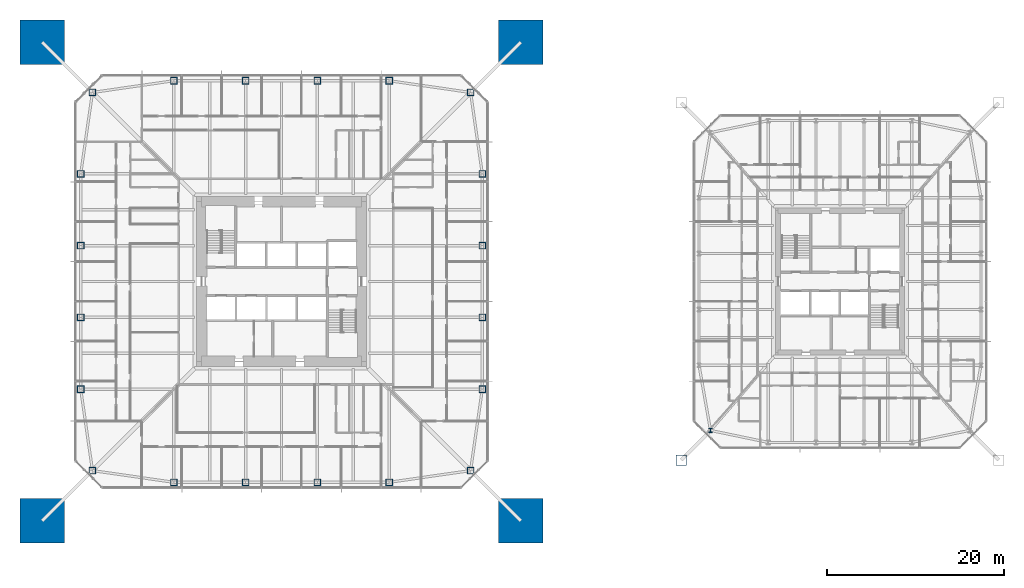
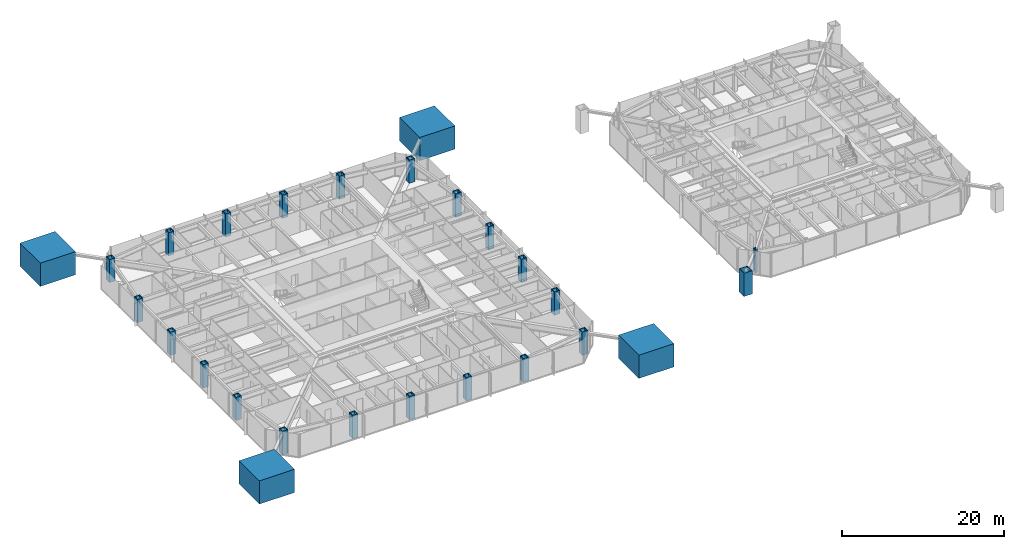
# One storey, part 1 of 26: 26 columns.
"""IFC4 building model written with IfcOpenShell, lengths in metres."""

from ifc_helpers import new_model, si_unit, direction, frame, origin, origin_2d, place, context, subcontext, project, spatial, rectangle, hollow_rectangle, i_section, extrude, material, material_profile, profile_set, type_object, element, save


model = new_model("IFC4")

# Units and contexts
model_context = context("Model", 3, precision=1e-05, world=origin(), true_north=direction((0.0, 1.0)))
body_context = subcontext(model_context, "Body", "Model", "MODEL_VIEW")
ifc_project = project(units=[si_unit("LENGTHUNIT", "METRE"), si_unit("AREAUNIT", "SQUARE_METRE"), si_unit("VOLUMEUNIT", "CUBIC_METRE"), si_unit("PLANEANGLEUNIT", "RADIAN"), si_unit("MASSUNIT", "GRAM", prefix="KILO")], contexts=[model_context])

# Site, building, storey
site_placement = place(None, origin())
site = spatial("IfcSite", under=ifc_project, at=site_placement, CompositionType="ELEMENT")
building_placement = place(site_placement, origin())
building = spatial("IfcBuilding", under=site, at=building_placement, Name="Iwan Alto Co-Living Towers", CompositionType="ELEMENT")
storey_placement = place(building_placement, frame((0.0, 0.0, 29.0)))
storey = spatial("IfcBuildingStorey", under=building, at=storey_placement, Name="L07", CompositionType="ELEMENT", Elevation=29.0)

# Columns
ifc_material_1 = material(Name="Concrete f'c 70 MPa", Category="concrete")
ifc_material_profile_1 = material_profile(ifc_material_1, rectangle(XDim=5.0, YDim=5.0, at=origin_2d()), Name="RC 5000X5000")
ifc_profile_set_1 = profile_set([ifc_material_profile_1], Name="Concrete f'c 70 MPa")
column_type_1 = type_object("IfcColumnType", Name="T1 MEGA COLUMN RC 5000X5000", PredefinedType="COLUMN", material=ifc_profile_set_1)
for number, where, z_axis, x_axis, name in (
    (1, (-27.0, -27.0, 0.0), (0.0, 0.0, 1.0), (1.0, 0.0, 0.0), "T1 mega column SW L07"),
    (2, (27.0, -27.0, 0.0), (0.0, 0.0, 1.0), (1.0, 0.0, 0.0), "T1 mega column SE L07"),
    (3, (27.0, 27.0, 0.0), (0.0, 0.0, 1.0), (1.0, 0.0, 0.0), "T1 mega column NE L07"),
    (4, (-27.0, 27.0, 0.0), (0.0, 0.0, 1.0), (1.0, 0.0, 0.0), "T1 mega column NW L07"),
):
    element("IfcColumn", number, at=place(storey_placement, frame(where, z_axis=z_axis, x_axis=x_axis)), inside=storey, type_object=column_type_1, Name=name, PredefinedType="COLUMN", context=body_context, shape_type="SweptSolid", body=[
        extrude(rectangle(XDim=5.0, YDim=5.0, at=origin_2d()), origin(), (0.0, 0.0, 1.0), 3.5),
        extrude(i_section(OverallWidth=0.4775390625, OverallDepth=0.599365234375, WebThickness=0.10009765625, FlangeThickness=0.139892578125, at=origin_2d()), origin(), (0.0, 0.0, 1.0), 3.5),
    ])
ifc_material_2 = material(Name="Steel ASTM A572 Gr 50", Category="steel")
ifc_material_profile_2 = material_profile(ifc_material_2, hollow_rectangle(XDim=0.800048828125, YDim=0.800048828125, WallThickness=0.090087890625, at=origin_2d()), Name="BOX 800X800X90")
ifc_profile_set_2 = profile_set([ifc_material_profile_2], Name="Steel ASTM A572 Gr 50")
column_type_2 = type_object("IfcColumnType", Name="T1 RING COLUMN BOX 800X800X90", PredefinedType="COLUMN", material=ifc_profile_set_2)
for number, where, z_axis, x_axis, name in (
    (5, (-21.32568359375, -21.32568359375, 0.0), (0.0, 0.0, 1.0), (1.0, 0.0, 0.0), "T1 ring column CSW L07"),
    (6, (-12.14990234375, -22.64990234375, 0.0), (0.0, 0.0, 1.0), (1.0, 0.0, 0.0), "T1 ring column S1 L07"),
    (7, (-4.050048828125, -22.64990234375, 0.0), (0.0, 0.0, 1.0), (1.0, 0.0, 0.0), "T1 ring column S2 L07"),
    (8, (4.050048828125, -22.64990234375, 0.0), (0.0, 0.0, 1.0), (1.0, 0.0, 0.0), "T1 ring column S3 L07"),
    (9, (12.14990234375, -22.64990234375, 0.0), (0.0, 0.0, 1.0), (1.0, 0.0, 0.0), "T1 ring column S4 L07"),
    (10, (21.32568359375, -21.32568359375, 0.0), (0.0, 0.0, 1.0), (1.0, 0.0, 0.0), "T1 ring column CSE L07"),
    (11, (22.64990234375, -12.14990234375, 0.0), (0.0, 0.0, 1.0), (1.0, 0.0, 0.0), "T1 ring column E1 L07"),
    (12, (22.64990234375, -4.050048828125, 0.0), (0.0, 0.0, 1.0), (1.0, 0.0, 0.0), "T1 ring column E2 L07"),
    (13, (22.64990234375, 4.050048828125, 0.0), (0.0, 0.0, 1.0), (1.0, 0.0, 0.0), "T1 ring column E3 L07"),
    (14, (22.64990234375, 12.14990234375, 0.0), (0.0, 0.0, 1.0), (1.0, 0.0, 0.0), "T1 ring column E4 L07"),
    (15, (21.32568359375, 21.32568359375, 0.0), (0.0, 0.0, 1.0), (1.0, 0.0, 0.0), "T1 ring column CNE L07"),
    (16, (12.14990234375, 22.64990234375, 0.0), (0.0, 0.0, 1.0), (1.0, 0.0, 0.0), "T1 ring column N1 L07"),
    (17, (4.050048828125, 22.64990234375, 0.0), (0.0, 0.0, 1.0), (1.0, 0.0, 0.0), "T1 ring column N2 L07"),
    (18, (-4.050048828125, 22.64990234375, 0.0), (0.0, 0.0, 1.0), (1.0, 0.0, 0.0), "T1 ring column N3 L07"),
    (19, (-12.14990234375, 22.64990234375, 0.0), (0.0, 0.0, 1.0), (1.0, 0.0, 0.0), "T1 ring column N4 L07"),
    (20, (-21.32568359375, 21.32568359375, 0.0), (0.0, 0.0, 1.0), (1.0, 0.0, 0.0), "T1 ring column CNW L07"),
    (21, (-22.64990234375, 12.14990234375, 0.0), (0.0, 0.0, 1.0), (1.0, 0.0, 0.0), "T1 ring column W1 L07"),
    (22, (-22.64990234375, 4.050048828125, 0.0), (0.0, 0.0, 1.0), (1.0, 0.0, 0.0), "T1 ring column W2 L07"),
    (23, (-22.64990234375, -4.050048828125, 0.0), (0.0, 0.0, 1.0), (1.0, 0.0, 0.0), "T1 ring column W3 L07"),
    (24, (-22.64990234375, -12.14990234375, 0.0), (0.0, 0.0, 1.0), (1.0, 0.0, 0.0), "T1 ring column W4 L07"),
):
    element("IfcColumn", number, at=place(storey_placement, frame(where, z_axis=z_axis, x_axis=x_axis)), inside=storey, type_object=column_type_2, Name=name, PredefinedType="COLUMN", context=body_context, shape_type="SweptSolid", body=[
        extrude(hollow_rectangle(XDim=0.800048828125, YDim=0.800048828125, WallThickness=0.090087890625, at=origin_2d()), origin(), (0.0, 0.0, 1.0), 3.5),
    ])
ifc_material_3 = material(Name="Steel ASTM A572 Gr 50", Category="steel")
ifc_material_profile_3 = material_profile(ifc_material_3, hollow_rectangle(XDim=1.199951171875, YDim=1.199951171875, WallThickness=0.070068359375, at=origin_2d()), Name="BOX 1200X1200X70")
ifc_profile_set_3 = profile_set([ifc_material_profile_3], Name="Steel ASTM A572 Gr 50")
column_type_3 = type_object("IfcColumnType", Name="T2 MEGA COLUMN BOX 1200X1200X70", PredefinedType="COLUMN", material=ifc_profile_set_3)
column_1_placement = place(storey_placement, frame((45.10009765625, -20.14990234375, 0.0), z_axis=(0.0, 0.0, 1.0), x_axis=(1.0, 0.0, 0.0)))
element("IfcColumn", 25, at=column_1_placement, inside=storey, type_object=column_type_3, Name="T2 mega column SW L07", PredefinedType="COLUMN", context=body_context, shape_type="SweptSolid", body=[
    extrude(hollow_rectangle(XDim=1.199951171875, YDim=1.199951171875, WallThickness=0.070068359375, at=origin_2d()), origin(), (0.0, 0.0, 1.0), 3.5),
])
ifc_material_4 = material(Name="Steel ASTM A992 Gr 50", Category="steel")
ifc_material_profile_4 = material_profile(ifc_material_4, i_section(OverallWidth=0.424072265625, OverallDepth=0.47509765625, WebThickness=0.0478515625, FlangeThickness=0.0771484375, at=origin_2d()), Name="W14X426")
ifc_profile_set_4 = profile_set([ifc_material_profile_4], Name="Steel ASTM A992 Gr 50")
column_type_4 = type_object("IfcColumnType", Name="T2 RING COLUMN W14X426", PredefinedType="COLUMN", material=ifc_profile_set_4)
column_2_placement = place(storey_placement, frame((48.393798828125, -16.797119140625, 0.0), z_axis=(0.0, 0.0, 1.0), x_axis=(1.0, 0.0, 0.0)))
element("IfcColumn", 26, at=column_2_placement, inside=storey, type_object=column_type_4, Name="T2 ring column CSW L07", PredefinedType="COLUMN", context=body_context, shape_type="SweptSolid", body=[
    extrude(i_section(OverallWidth=0.424072265625, OverallDepth=0.47509765625, WebThickness=0.0478515625, FlangeThickness=0.0771484375, at=origin_2d()), origin(), (0.0, 0.0, 1.0), 3.5),
])

save(model, "model.ifc")
